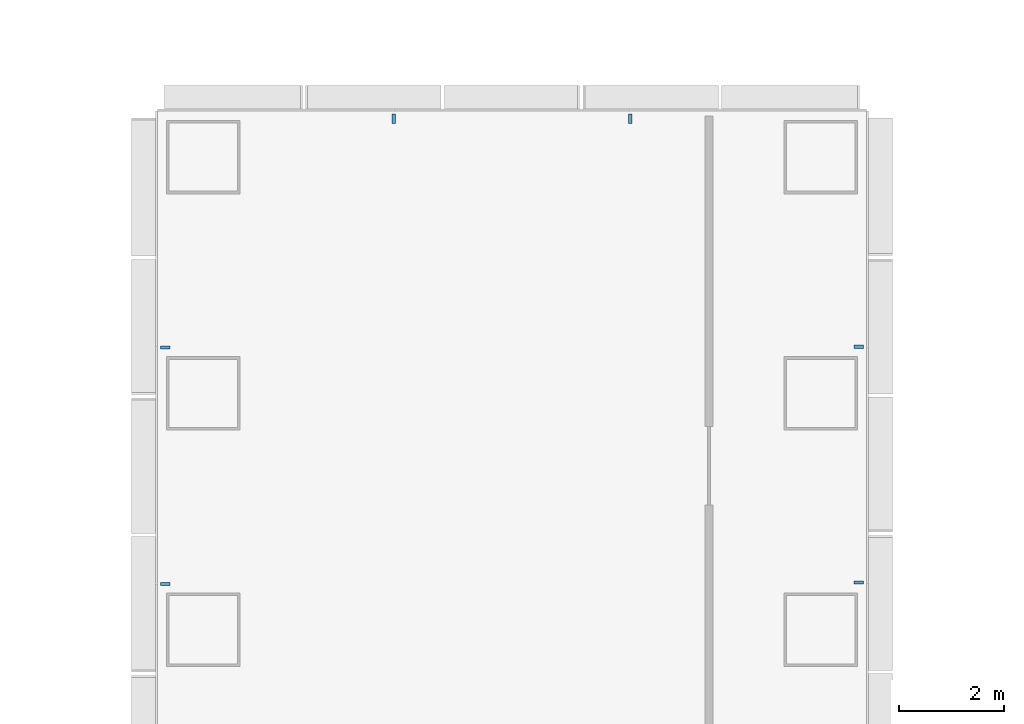
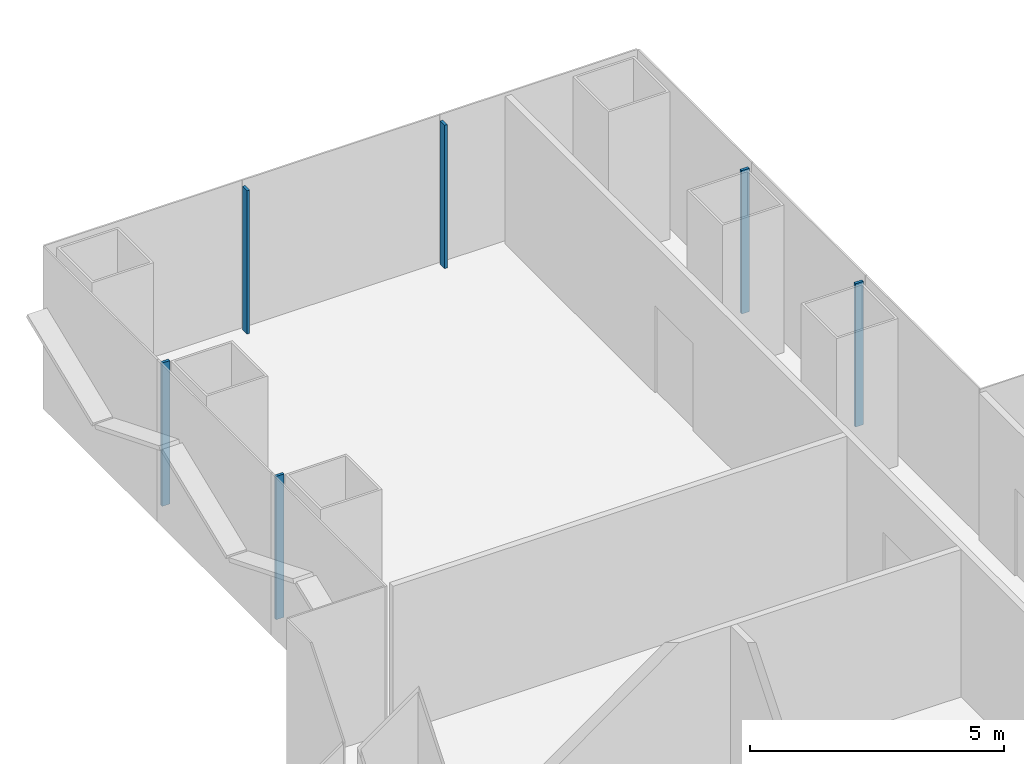
# One storey, part 6 of 21: 6 members, 3 elements without a shape of their own.
"""IFC4 building model written with IfcOpenShell, lengths in metres."""

from ifc_helpers import new_model, si_unit, direction, frame, origin, origin_2d, place, context, subcontext, project, spatial, rectangle, extrude, material, layer, layer_set, material_profile, profile_set, type_object, element, aggregate, save


model = new_model("IFC4")

# Units and contexts
model_context = context("Model", 3, precision=1e-05, world=origin(), true_north=direction((0.0, 1.0)))
body_context = subcontext(model_context, "Body", "Model", "MODEL_VIEW")
ifc_project = project(units=[si_unit("LENGTHUNIT", "METRE"), si_unit("AREAUNIT", "SQUARE_METRE"), si_unit("VOLUMEUNIT", "CUBIC_METRE"), si_unit("PLANEANGLEUNIT", "RADIAN"), si_unit("MASSUNIT", "GRAM", prefix="KILO")], contexts=[model_context])

# Site, building, storey
site_placement = place(None, origin())
site = spatial("IfcSite", under=ifc_project, at=site_placement, CompositionType="ELEMENT")
building_placement = place(site_placement, origin())
building = spatial("IfcBuilding", under=site, at=building_placement, Name="Shamsa Quay Exchange Towers", CompositionType="ELEMENT")
storey_placement = place(building_placement, frame((0.0, 0.0, 57.60009765625)))
storey = spatial("IfcBuildingStorey", under=building, at=storey_placement, Name="L12", CompositionType="ELEMENT", Elevation=57.60009765625)

# Curtain wall, members
ifc_material = material(Name="Aluminium EN AW-6063 T6, black anodised", Category="aluminium")
ifc_layer = layer(ifc_material, 0.280029296875)
ifc_layer_set = layer_set([ifc_layer], Name="CW-1 UNITISED VISION GLASS")
curtain_wall_type = type_object("IfcCurtainWallType", Name="CW-1 UNITISED VISION GLASS", PredefinedType="NOTDEFINED", material=ifc_layer_set)
curtain_wall_1_placement = place(storey_placement, origin())
curtain_wall_1 = element("IfcCurtainWall", 1, at=curtain_wall_1_placement, inside=storey, type_object=curtain_wall_type, Name="CW1 T1-FLK-V+E L12", PredefinedType="NOTDEFINED")
ifc_material_profile = material_profile(ifc_material, rectangle(XDim=0.179931640625, YDim=0.06005859375, at=origin_2d()), Name="MU60x180")
ifc_profile_set = profile_set([ifc_material_profile], Name="Aluminium EN AW-6063 T6, black anodised")
member_type = type_object("IfcMemberType", Name="CW1 MULLION 60x180", PredefinedType="MULLION", material=ifc_profile_set)
member_1_placement = place(storey_placement, frame((-27.14990234375, 15.775390625, 0.0), z_axis=(0.0, 0.0, 1.0), x_axis=(-1.0, 0.0, 0.0)))
member_1 = element("IfcMember", 2, at=member_1_placement, type_object=member_type, Name="CW1 mullion", PredefinedType="MULLION", context=body_context, shape_type="SweptSolid", body=[
    extrude(rectangle(XDim=0.179931640625, YDim=0.06005859375, at=origin_2d()), origin(), (0.0, 0.0, 1.0), 3.449951171875),
])
member_2_placement = place(storey_placement, frame((-27.14990234375, 20.2626953125, 0.0), z_axis=(0.0, 0.0, 1.0), x_axis=(-1.0, 0.0, 0.0)))
member_2 = element("IfcMember", 3, at=member_2_placement, type_object=member_type, Name="CW1 mullion", PredefinedType="MULLION", context=body_context, shape_type="SweptSolid", body=[
    extrude(rectangle(XDim=0.179931640625, YDim=0.06005859375, at=origin_2d()), origin(), (0.0, 0.0, 1.0), 3.449951171875),
])
aggregate(curtain_wall_1, [member_1, member_2])

curtain_wall_2_placement = place(storey_placement, origin())
curtain_wall_2 = element("IfcCurtainWall", 4, at=curtain_wall_2_placement, inside=storey, type_object=curtain_wall_type, Name="CW1 T1-END-V+ L12", PredefinedType="NOTDEFINED")
member_3_placement = place(storey_placement, frame((-31.5, 24.60009765625, 0.0), z_axis=(0.0, 0.0, 1.0), x_axis=(0.0, -1.0, 0.0)))
member_3 = element("IfcMember", 5, at=member_3_placement, type_object=member_type, Name="CW1 mullion", PredefinedType="MULLION", context=body_context, shape_type="SweptSolid", body=[
    extrude(rectangle(XDim=0.179931640625, YDim=0.06005859375, at=origin_2d()), origin(), (0.0, 0.0, 1.0), 3.449951171875),
])
member_4_placement = place(storey_placement, frame((-36.0, 24.60009765625, 0.0), z_axis=(0.0, 0.0, 1.0), x_axis=(0.0, -1.0, 0.0)))
member_4 = element("IfcMember", 6, at=member_4_placement, type_object=member_type, Name="CW1 mullion", PredefinedType="MULLION", context=body_context, shape_type="SweptSolid", body=[
    extrude(rectangle(XDim=0.179931640625, YDim=0.06005859375, at=origin_2d()), origin(), (0.0, 0.0, 1.0), 3.449951171875),
])
aggregate(curtain_wall_2, [member_3, member_4])

curtain_wall_3_placement = place(storey_placement, origin())
curtain_wall_3 = element("IfcCurtainWall", 7, at=curtain_wall_3_placement, inside=storey, type_object=curtain_wall_type, Name="CW1 T1-FLK-V+W L12", PredefinedType="NOTDEFINED")
member_5_placement = place(storey_placement, frame((-40.35009765625, 20.25, 0.0)))
member_5 = element("IfcMember", 8, at=member_5_placement, type_object=member_type, Name="CW1 mullion", PredefinedType="MULLION", context=body_context, shape_type="SweptSolid", body=[
    extrude(rectangle(XDim=0.179931640625, YDim=0.06005859375, at=origin_2d()), origin(), (0.0, 0.0, 1.0), 3.449951171875),
])
member_6_placement = place(storey_placement, frame((-40.35009765625, 15.75, 0.0)))
member_6 = element("IfcMember", 9, at=member_6_placement, type_object=member_type, Name="CW1 mullion", PredefinedType="MULLION", context=body_context, shape_type="SweptSolid", body=[
    extrude(rectangle(XDim=0.179931640625, YDim=0.06005859375, at=origin_2d()), origin(), (0.0, 0.0, 1.0), 3.449951171875),
])
aggregate(curtain_wall_3, [member_5, member_6])

save(model, "model.ifc")
